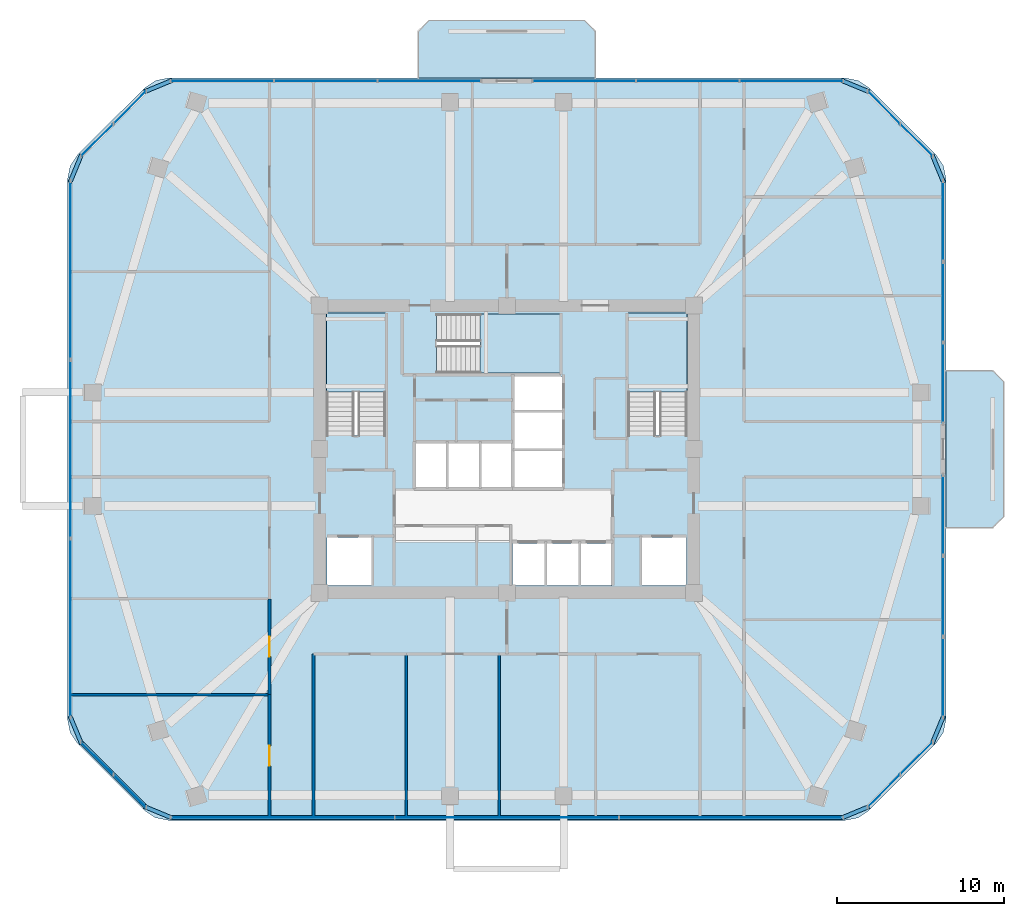
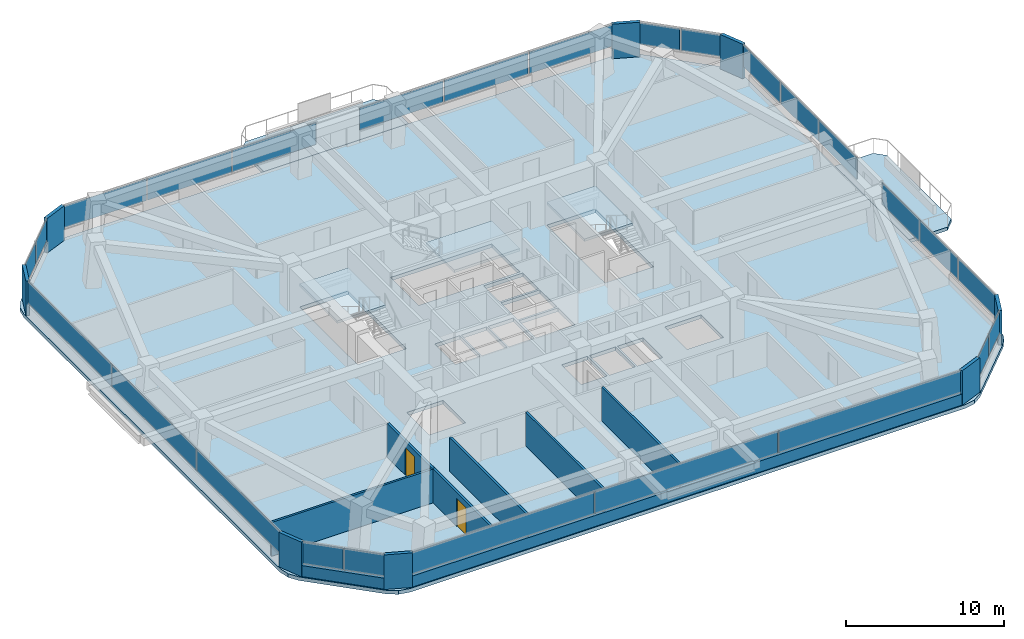
# One storey, part 8 of 14: 34 plates, 8 walls, 6 slabs, 2 doors, 2 openings, 13 elements without a shape of their own.
"""IFC4 building model written with IfcOpenShell, lengths in metres."""

from ifc_helpers import new_model, si_unit, derived_unit, direction, frame, frame_2d, origin, origin_2d, place, context, subcontext, project, spatial, polyline, rectangle, outline, extrude, material, layer, layer_set, type_object, element, fill, aggregate, save


model = new_model("IFC4")

# Units and contexts
model_context = context("Model", 3, precision=1e-05, world=origin(), true_north=direction((0.0, 1.0)))
body_context = subcontext(model_context, "Body", "Model", "MODEL_VIEW")
ifc_project = project(units=[si_unit("LENGTHUNIT", "METRE"), si_unit("AREAUNIT", "SQUARE_METRE"), si_unit("VOLUMEUNIT", "CUBIC_METRE"), si_unit("PLANEANGLEUNIT", "RADIAN"), si_unit("MASSUNIT", "GRAM", prefix="KILO"), derived_unit("THERMALTRANSMITTANCEUNIT", [(si_unit("POWERUNIT", "WATT"), 1), (si_unit("LENGTHUNIT", "METRE"), -2), (si_unit("THERMODYNAMICTEMPERATUREUNIT", "KELVIN"), -1)])], contexts=[model_context])

# Site, building, storey
site_placement = place(None, origin())
site = spatial("IfcSite", under=ifc_project, at=site_placement, CompositionType="ELEMENT")
building_placement = place(site_placement, origin())
building = spatial("IfcBuilding", under=site, at=building_placement, Name="Koralith Skygarden Medical Center", CompositionType="ELEMENT")
storey_placement = place(building_placement, frame((0.0, 0.0, 95.580078125)))
storey = spatial("IfcBuildingStorey", under=building, at=storey_placement, Name="L24", CompositionType="ELEMENT", Elevation=95.580078125)

# Curtain wall, plates
ifc_material_1 = material(Name="Clear Laminated Glass", Category="glass")
curtain_wall_type = type_object("IfcCurtainWallType", Name="CW-3 Zone 2 Faceted Solar Curtain Wall", PredefinedType="NOTDEFINED", material=ifc_material_1)
curtain_wall_1_placement = place(storey_placement, origin())
curtain_wall_1 = element("IfcCurtainWall", 1, at=curtain_wall_1_placement, inside=storey, type_object=curtain_wall_type, Name="Curtain Wall CW-L24-S", PredefinedType="NOTDEFINED")
ifc_layer_1 = layer(ifc_material_1, 0.033935546875)
ifc_layer_set_1 = layer_set([ifc_layer_1], Name="Clear Laminated Glass")
plate_type_1 = type_object("IfcPlateType", Name="CW-3 Hurricane Laminated IGU Panel 34", PredefinedType="CURTAIN_PANEL", material=ifc_layer_set_1)
plate_1_placement = place(storey_placement, frame((23.572998046875, 3.85693359375, 0.919921875), z_axis=(0.0, 0.0, 1.0), x_axis=(1.0, 0.0, 0.0)))
plate_1 = element("IfcPlate", 2, at=plate_1_placement, type_object=plate_type_1, Name="CW-L24-S Glazed Panel 1", PredefinedType="CURTAIN_PANEL", context=body_context, shape_type="SweptSolid", body=[
    extrude(rectangle(XDim=13.3369140625, YDim=0.033935546875, at=origin_2d()), origin(), (0.0, 0.0, 1.0), 1.679931640625),
])
plate_2_placement = place(storey_placement, frame((37.0, 3.85693359375, 0.919921875), z_axis=(0.0, 0.0, 1.0), x_axis=(1.0, 0.0, 0.0)))
plate_2 = element("IfcPlate", 3, at=plate_2_placement, type_object=plate_type_1, Name="CW-L24-S Glazed Panel 2", PredefinedType="CURTAIN_PANEL", context=body_context, shape_type="SweptSolid", body=[
    extrude(rectangle(XDim=13.3369140625, YDim=0.033935546875, at=origin_2d()), origin(), (0.0, 0.0, 1.0), 1.679931640625),
])
plate_3_placement = place(storey_placement, frame((50.427001953125, 3.85693359375, 0.919921875), z_axis=(0.0, 0.0, 1.0), x_axis=(1.0, 0.0, 0.0)))
plate_3 = element("IfcPlate", 4, at=plate_3_placement, type_object=plate_type_1, Name="CW-L24-S Glazed Panel 3", PredefinedType="CURTAIN_PANEL", context=body_context, shape_type="SweptSolid", body=[
    extrude(rectangle(XDim=13.3369140625, YDim=0.033935546875, at=origin_2d()), origin(), (0.0, 0.0, 1.0), 1.679931640625),
])
aggregate(curtain_wall_1, [plate_1, plate_2, plate_3])

curtain_wall_2_placement = place(storey_placement, origin())
curtain_wall_2 = element("IfcCurtainWall", 5, at=curtain_wall_2_placement, inside=storey, type_object=curtain_wall_type, Name="Curtain Wall CW-L24-SE", PredefinedType="NOTDEFINED")
plate_4_placement = place(storey_placement, frame((59.572021484375, 5.43896484375, 0.919921875), z_axis=(0.0, 0.0, 1.0), x_axis=(0.707106781187, 0.707106781187, 0.0)))
plate_4 = element("IfcPlate", 6, at=plate_4_placement, type_object=plate_type_1, Name="CW-L24-SE Glazed Panel 1", PredefinedType="CURTAIN_PANEL", context=body_context, shape_type="SweptSolid", body=[
    extrude(rectangle(XDim=2.68408203125, YDim=0.033935546875, at=origin_2d()), origin(), (0.0, 0.0, 1.0), 1.679931640625),
])
plate_5_placement = place(storey_placement, frame((61.532958984375, 7.39990234375, 0.919921875), z_axis=(0.0, 0.0, 1.0), x_axis=(0.707106781187, 0.707106781187, 0.0)))
plate_5 = element("IfcPlate", 7, at=plate_5_placement, type_object=plate_type_1, Name="CW-L24-SE Glazed Panel 2", PredefinedType="CURTAIN_PANEL", context=body_context, shape_type="SweptSolid", body=[
    extrude(rectangle(XDim=2.68408203125, YDim=0.033935546875, at=origin_2d()), origin(), (0.0, 0.0, 1.0), 1.679931640625),
])
aggregate(curtain_wall_2, [plate_4, plate_5])

curtain_wall_3_placement = place(storey_placement, origin())
curtain_wall_3 = element("IfcCurtainWall", 8, at=curtain_wall_3_placement, inside=storey, type_object=curtain_wall_type, Name="Curtain Wall CW-L24-E-L", PredefinedType="NOTDEFINED")
plate_6_placement = place(storey_placement, frame((63.114990234375, 12.2529296875, 0.919921875), z_axis=(0.0, 0.0, 1.0), x_axis=(0.0, 1.0, 0.0)))
plate_6 = element("IfcPlate", 9, at=plate_6_placement, type_object=plate_type_1, Name="CW-L24-E-L Glazed Panel 1", PredefinedType="CURTAIN_PANEL", context=body_context, shape_type="SweptSolid", body=[
    extrude(rectangle(XDim=4.751953125, YDim=0.033935546875, at=origin_2d()), origin(), (0.0, 0.0, 1.0), 1.679931640625),
])
plate_7_placement = place(storey_placement, frame((63.114990234375, 17.095947265625, 0.919921875), z_axis=(0.0, 0.0, 1.0), x_axis=(0.0, 1.0, 0.0)))
plate_7 = element("IfcPlate", 10, at=plate_7_placement, type_object=plate_type_1, Name="CW-L24-E-L Glazed Panel 2", PredefinedType="CURTAIN_PANEL", context=body_context, shape_type="SweptSolid", body=[
    extrude(rectangle(XDim=4.751953125, YDim=0.033935546875, at=origin_2d()), origin(), (0.0, 0.0, 1.0), 1.679931640625),
])
plate_8_placement = place(storey_placement, frame((63.114990234375, 21.93798828125, 0.919921875), z_axis=(0.0, 0.0, 1.0), x_axis=(0.0, 1.0, 0.0)))
plate_8 = element("IfcPlate", 11, at=plate_8_placement, type_object=plate_type_1, Name="CW-L24-E-L Glazed Panel 3", PredefinedType="CURTAIN_PANEL", context=body_context, shape_type="SweptSolid", body=[
    extrude(rectangle(XDim=4.751953125, YDim=0.033935546875, at=origin_2d()), origin(), (0.0, 0.0, 1.0), 1.679931640625),
])
aggregate(curtain_wall_3, [plate_6, plate_7, plate_8])

curtain_wall_4_placement = place(storey_placement, origin())
curtain_wall_4 = element("IfcCurtainWall", 12, at=curtain_wall_4_placement, inside=storey, type_object=curtain_wall_type, Name="Curtain Wall CW-L24-E-R", PredefinedType="NOTDEFINED")
plate_9_placement = place(storey_placement, frame((63.114990234375, 29.861083984375, 0.919921875), z_axis=(0.0, 0.0, 1.0), x_axis=(0.0, 1.0, 0.0)))
plate_9 = element("IfcPlate", 13, at=plate_9_placement, type_object=plate_type_1, Name="CW-L24-E-R Glazed Panel 1", PredefinedType="CURTAIN_PANEL", context=body_context, shape_type="SweptSolid", body=[
    extrude(rectangle(XDim=4.7529296875, YDim=0.033935546875, at=origin_2d()), origin(), (0.0, 0.0, 1.0), 1.679931640625),
])
plate_10_placement = place(storey_placement, frame((63.114990234375, 34.7041015625, 0.919921875), z_axis=(0.0, 0.0, 1.0), x_axis=(0.0, 1.0, 0.0)))
plate_10 = element("IfcPlate", 14, at=plate_10_placement, type_object=plate_type_1, Name="CW-L24-E-R Glazed Panel 2", PredefinedType="CURTAIN_PANEL", context=body_context, shape_type="SweptSolid", body=[
    extrude(rectangle(XDim=4.7529296875, YDim=0.033935546875, at=origin_2d()), origin(), (0.0, 0.0, 1.0), 1.679931640625),
])
plate_11_placement = place(storey_placement, frame((63.114990234375, 39.547119140625, 0.919921875), z_axis=(0.0, 0.0, 1.0), x_axis=(0.0, 1.0, 0.0)))
plate_11 = element("IfcPlate", 15, at=plate_11_placement, type_object=plate_type_1, Name="CW-L24-E-R Glazed Panel 3", PredefinedType="CURTAIN_PANEL", context=body_context, shape_type="SweptSolid", body=[
    extrude(rectangle(XDim=4.7529296875, YDim=0.033935546875, at=origin_2d()), origin(), (0.0, 0.0, 1.0), 1.679931640625),
])
aggregate(curtain_wall_4, [plate_9, plate_10, plate_11])

curtain_wall_5_placement = place(storey_placement, origin())
curtain_wall_5 = element("IfcCurtainWall", 16, at=curtain_wall_5_placement, inside=storey, type_object=curtain_wall_type, Name="Curtain Wall CW-L24-NE", PredefinedType="NOTDEFINED")
plate_12_placement = place(storey_placement, frame((61.532958984375, 44.39990234375, 0.919921875), z_axis=(0.0, 0.0, 1.0), x_axis=(-0.707106781187, 0.707106781187, 0.0)))
plate_12 = element("IfcPlate", 17, at=plate_12_placement, type_object=plate_type_1, Name="CW-L24-NE Glazed Panel 1", PredefinedType="CURTAIN_PANEL", context=body_context, shape_type="SweptSolid", body=[
    extrude(rectangle(XDim=2.68408203125, YDim=0.033935546875, at=origin_2d()), origin(), (0.0, 0.0, 1.0), 1.679931640625),
])
plate_13_placement = place(storey_placement, frame((59.572021484375, 46.361083984375, 0.919921875), z_axis=(0.0, 0.0, 1.0), x_axis=(-0.707106781187, 0.707106781187, 0.0)))
plate_13 = element("IfcPlate", 18, at=plate_13_placement, type_object=plate_type_1, Name="CW-L24-NE Glazed Panel 2", PredefinedType="CURTAIN_PANEL", context=body_context, shape_type="SweptSolid", body=[
    extrude(rectangle(XDim=2.68408203125, YDim=0.033935546875, at=origin_2d()), origin(), (0.0, 0.0, 1.0), 1.679931640625),
])
aggregate(curtain_wall_5, [plate_12, plate_13])

curtain_wall_6_placement = place(storey_placement, origin())
curtain_wall_6 = element("IfcCurtainWall", 19, at=curtain_wall_6_placement, inside=storey, type_object=curtain_wall_type, Name="Curtain Wall CW-L24-N-L", PredefinedType="NOTDEFINED")
plate_14_placement = place(storey_placement, frame((54.0400390625, 47.943115234375, 0.919921875), z_axis=(0.0, 0.0, 1.0), x_axis=(-1.0, 0.0, 0.0)))
plate_14 = element("IfcPlate", 20, at=plate_14_placement, type_object=plate_type_1, Name="CW-L24-N-L Glazed Panel 1", PredefinedType="CURTAIN_PANEL", context=body_context, shape_type="SweptSolid", body=[
    extrude(rectangle(XDim=6.110107421875, YDim=0.033935546875, at=origin_2d()), origin(), (0.0, 0.0, 1.0), 1.679931640625),
])
plate_15_placement = place(storey_placement, frame((47.840087890625, 47.943115234375, 0.919921875), z_axis=(0.0, 0.0, 1.0), x_axis=(-1.0, 0.0, 0.0)))
plate_15 = element("IfcPlate", 21, at=plate_15_placement, type_object=plate_type_1, Name="CW-L24-N-L Glazed Panel 2", PredefinedType="CURTAIN_PANEL", context=body_context, shape_type="SweptSolid", body=[
    extrude(rectangle(XDim=6.110107421875, YDim=0.033935546875, at=origin_2d()), origin(), (0.0, 0.0, 1.0), 1.679931640625),
])
plate_16_placement = place(storey_placement, frame((41.639892578125, 47.943115234375, 0.919921875), z_axis=(0.0, 0.0, 1.0), x_axis=(-1.0, 0.0, 0.0)))
plate_16 = element("IfcPlate", 22, at=plate_16_placement, type_object=plate_type_1, Name="CW-L24-N-L Glazed Panel 3", PredefinedType="CURTAIN_PANEL", context=body_context, shape_type="SweptSolid", body=[
    extrude(rectangle(XDim=6.110107421875, YDim=0.033935546875, at=origin_2d()), origin(), (0.0, 0.0, 1.0), 1.679931640625),
])
aggregate(curtain_wall_6, [plate_14, plate_15, plate_16])

curtain_wall_7_placement = place(storey_placement, origin())
curtain_wall_7 = element("IfcCurtainWall", 23, at=curtain_wall_7_placement, inside=storey, type_object=curtain_wall_type, Name="Curtain Wall CW-L24-N-R", PredefinedType="NOTDEFINED")
plate_17_placement = place(storey_placement, frame((32.360107421875, 47.943115234375, 0.919921875), z_axis=(0.0, 0.0, 1.0), x_axis=(-1.0, 0.0, 0.0)))
plate_17 = element("IfcPlate", 24, at=plate_17_placement, type_object=plate_type_1, Name="CW-L24-N-R Glazed Panel 1", PredefinedType="CURTAIN_PANEL", context=body_context, shape_type="SweptSolid", body=[
    extrude(rectangle(XDim=6.110107421875, YDim=0.033935546875, at=origin_2d()), origin(), (0.0, 0.0, 1.0), 1.679931640625),
])
plate_18_placement = place(storey_placement, frame((26.159912109375, 47.943115234375, 0.919921875), z_axis=(0.0, 0.0, 1.0), x_axis=(-1.0, 0.0, 0.0)))
plate_18 = element("IfcPlate", 25, at=plate_18_placement, type_object=plate_type_1, Name="CW-L24-N-R Glazed Panel 2", PredefinedType="CURTAIN_PANEL", context=body_context, shape_type="SweptSolid", body=[
    extrude(rectangle(XDim=6.110107421875, YDim=0.033935546875, at=origin_2d()), origin(), (0.0, 0.0, 1.0), 1.679931640625),
])
plate_19_placement = place(storey_placement, frame((19.9599609375, 47.943115234375, 0.919921875), z_axis=(0.0, 0.0, 1.0), x_axis=(-1.0, 0.0, 0.0)))
plate_19 = element("IfcPlate", 26, at=plate_19_placement, type_object=plate_type_1, Name="CW-L24-N-R Glazed Panel 3", PredefinedType="CURTAIN_PANEL", context=body_context, shape_type="SweptSolid", body=[
    extrude(rectangle(XDim=6.110107421875, YDim=0.033935546875, at=origin_2d()), origin(), (0.0, 0.0, 1.0), 1.679931640625),
])
aggregate(curtain_wall_7, [plate_17, plate_18, plate_19])

curtain_wall_8_placement = place(storey_placement, origin())
curtain_wall_8 = element("IfcCurtainWall", 27, at=curtain_wall_8_placement, inside=storey, type_object=curtain_wall_type, Name="Curtain Wall CW-L24-NW", PredefinedType="NOTDEFINED")
plate_20_placement = place(storey_placement, frame((14.427978515625, 46.361083984375, 0.919921875), z_axis=(0.0, 0.0, 1.0), x_axis=(-0.707106781187, -0.707106781187, 0.0)))
plate_20 = element("IfcPlate", 28, at=plate_20_placement, type_object=plate_type_1, Name="CW-L24-NW Glazed Panel 1", PredefinedType="CURTAIN_PANEL", context=body_context, shape_type="SweptSolid", body=[
    extrude(rectangle(XDim=2.68408203125, YDim=0.033935546875, at=origin_2d()), origin(), (0.0, 0.0, 1.0), 1.679931640625),
])
plate_21_placement = place(storey_placement, frame((12.467041015625, 44.39990234375, 0.919921875), z_axis=(0.0, 0.0, 1.0), x_axis=(-0.707106781187, -0.707106781187, 0.0)))
plate_21 = element("IfcPlate", 29, at=plate_21_placement, type_object=plate_type_1, Name="CW-L24-NW Glazed Panel 2", PredefinedType="CURTAIN_PANEL", context=body_context, shape_type="SweptSolid", body=[
    extrude(rectangle(XDim=2.68408203125, YDim=0.033935546875, at=origin_2d()), origin(), (0.0, 0.0, 1.0), 1.679931640625),
])
aggregate(curtain_wall_8, [plate_20, plate_21])

curtain_wall_9_placement = place(storey_placement, origin())
curtain_wall_9 = element("IfcCurtainWall", 30, at=curtain_wall_9_placement, inside=storey, type_object=curtain_wall_type, Name="Curtain Wall CW-L24-W", PredefinedType="NOTDEFINED")
plate_22_placement = place(storey_placement, frame((10.884033203125, 36.612060546875, 0.919921875), z_axis=(0.0, 0.0, 1.0), x_axis=(0.0, -1.0, 0.0)))
plate_22 = element("IfcPlate", 31, at=plate_22_placement, type_object=plate_type_1, Name="CW-L24-W Glazed Panel 1", PredefinedType="CURTAIN_PANEL", context=body_context, shape_type="SweptSolid", body=[
    extrude(rectangle(XDim=10.6220703125, YDim=0.033935546875, at=origin_2d()), origin(), (0.0, 0.0, 1.0), 1.679931640625),
])
plate_23_placement = place(storey_placement, frame((10.884033203125, 25.89990234375, 0.919921875), z_axis=(0.0, 0.0, 1.0), x_axis=(0.0, -1.0, 0.0)))
plate_23 = element("IfcPlate", 32, at=plate_23_placement, type_object=plate_type_1, Name="CW-L24-W Glazed Panel 2", PredefinedType="CURTAIN_PANEL", context=body_context, shape_type="SweptSolid", body=[
    extrude(rectangle(XDim=10.6220703125, YDim=0.033935546875, at=origin_2d()), origin(), (0.0, 0.0, 1.0), 1.679931640625),
])
plate_24_placement = place(storey_placement, frame((10.884033203125, 15.18798828125, 0.919921875), z_axis=(0.0, 0.0, 1.0), x_axis=(0.0, -1.0, 0.0)))
plate_24 = element("IfcPlate", 33, at=plate_24_placement, type_object=plate_type_1, Name="CW-L24-W Glazed Panel 3", PredefinedType="CURTAIN_PANEL", context=body_context, shape_type="SweptSolid", body=[
    extrude(rectangle(XDim=10.6220703125, YDim=0.033935546875, at=origin_2d()), origin(), (0.0, 0.0, 1.0), 1.679931640625),
])
aggregate(curtain_wall_9, [plate_22, plate_23, plate_24])

curtain_wall_10_placement = place(storey_placement, origin())
curtain_wall_10 = element("IfcCurtainWall", 34, at=curtain_wall_10_placement, inside=storey, type_object=curtain_wall_type, Name="Curtain Wall CW-L24-SW", PredefinedType="NOTDEFINED")
plate_25_placement = place(storey_placement, frame((12.467041015625, 7.39990234375, 0.919921875), z_axis=(0.0, 0.0, 1.0), x_axis=(0.707106781187, -0.707106781187, 0.0)))
plate_25 = element("IfcPlate", 35, at=plate_25_placement, type_object=plate_type_1, Name="CW-L24-SW Glazed Panel 1", PredefinedType="CURTAIN_PANEL", context=body_context, shape_type="SweptSolid", body=[
    extrude(rectangle(XDim=2.68408203125, YDim=0.033935546875, at=origin_2d()), origin(), (0.0, 0.0, 1.0), 1.679931640625),
])
plate_26_placement = place(storey_placement, frame((14.427978515625, 5.43896484375, 0.919921875), z_axis=(0.0, 0.0, 1.0), x_axis=(0.707106781187, -0.707106781187, 0.0)))
plate_26 = element("IfcPlate", 36, at=plate_26_placement, type_object=plate_type_1, Name="CW-L24-SW Glazed Panel 2", PredefinedType="CURTAIN_PANEL", context=body_context, shape_type="SweptSolid", body=[
    extrude(rectangle(XDim=2.68408203125, YDim=0.033935546875, at=origin_2d()), origin(), (0.0, 0.0, 1.0), 1.679931640625),
])
aggregate(curtain_wall_10, [plate_25, plate_26])

# Slabs
ifc_material_2 = material(Name="Concrete C45/55", Category="concrete")
ifc_layer_2 = layer(ifc_material_2, 0.260009765625)
ifc_layer_set_2 = layer_set([ifc_layer_2], Name="Concrete C45/55")
slab_type_1 = type_object("IfcSlabType", Name="Cantilevered Planted Balcony Slab 260", PredefinedType="FLOOR", material=ifc_layer_set_2)
slab_1_placement = place(storey_placement, frame((0.0, 0.0, -0.260009765625)))
element("IfcSlab", 37, at=slab_1_placement, inside=storey, type_object=slab_type_1, Name="L24 N Planted Sky-Garden Balcony Slab", PredefinedType="FLOOR", context=body_context, shape_type="SweptSolid", body=[
    extrude(outline(polyline([(31.699951171875, 48.123046875), (42.300048828125, 48.123046875), (42.300048828125, 50.923095703125), (41.64990234375, 51.572998046875), (32.35009765625, 51.572998046875), (31.699951171875, 50.923095703125), (31.699951171875, 48.123046875)])), origin(), (0.0, 0.0, 1.0), 0.260009765625),
])
slab_2_placement = place(storey_placement, frame((0.0, 0.0, -0.260009765625)))
element("IfcSlab", 38, at=slab_2_placement, inside=storey, type_object=slab_type_1, Name="L24 E Planted Sky-Garden Balcony Slab", PredefinedType="FLOOR", context=body_context, shape_type="SweptSolid", body=[
    extrude(outline(polyline([(63.2958984375, 21.199951171875), (66.095947265625, 21.199951171875), (66.74609375, 21.85009765625), (66.74609375, 29.949951171875), (66.095947265625, 30.60009765625), (63.2958984375, 30.60009765625), (63.2958984375, 21.199951171875)])), origin(), (0.0, 0.0, 1.0), 0.260009765625),
])

# Stair, slab
stair_type = type_object("IfcStairType", Name="Core Exit Dogleg Concrete Stair", PredefinedType="HALF_TURN_STAIR", material=ifc_material_2)
stair_1_placement = place(storey_placement, origin())
stair_1 = element("IfcStair", 39, at=stair_1_placement, inside=storey, type_object=stair_type, Name="L24 Smokeproof Exit Stair ST1", PredefinedType="HALF_TURN_STAIR")
ifc_layer_3 = layer(ifc_material_2, 0.199951171875)
ifc_layer_set_3 = layer_set([ifc_layer_3], Name="Concrete C45/55")
slab_type_2 = type_object("IfcSlabType", Name="Core Exit Concrete Stair Landing 200", PredefinedType="LANDING", material=ifc_layer_set_3)
slab_3_placement = place(storey_placement, frame((0.0, 0.0, 1.599853515625)))
slab_3 = element("IfcSlab", 40, at=slab_3_placement, type_object=slab_type_2, Name="ST1 landing 1", PredefinedType="LANDING", context=body_context, shape_type="SweptSolid", body=[
    extrude(outline(polyline([(29.75, 29.31005859375), (29.75, 34.050048828125), (26.199951171875, 34.050048828125), (26.199951171875, 29.31005859375), (29.75, 29.31005859375)])), origin(), (0.0, 0.0, 1.0), 0.199951171875),
])
aggregate(stair_1, [slab_3])

stair_2_placement = place(storey_placement, origin())
stair_2 = element("IfcStair", 41, at=stair_2_placement, inside=storey, type_object=stair_type, Name="L24 Smokeproof Exit Stair ST2", PredefinedType="HALF_TURN_STAIR")
slab_4_placement = place(storey_placement, frame((0.0, 0.0, 1.599853515625)))
slab_4 = element("IfcSlab", 42, at=slab_4_placement, type_object=slab_type_2, Name="ST2 landing 1", PredefinedType="LANDING", context=body_context, shape_type="SweptSolid", body=[
    extrude(outline(polyline([(47.800048828125, 29.31005859375), (47.800048828125, 34.050048828125), (44.25, 34.050048828125), (44.25, 29.31005859375), (47.800048828125, 29.31005859375)])), origin(), (0.0, 0.0, 1.0), 0.199951171875),
])
aggregate(stair_2, [slab_4])

stair_3_placement = place(storey_placement, origin())
stair_3 = element("IfcStair", 43, at=stair_3_placement, inside=storey, type_object=stair_type, Name="L24 Smokeproof Exit Stair ST3", PredefinedType="HALF_TURN_STAIR")
slab_5_placement = place(storey_placement, frame((0.0, 0.0, 1.599853515625)))
slab_5 = element("IfcSlab", 44, at=slab_5_placement, type_object=slab_type_2, Name="ST3 landing 1", PredefinedType="LANDING", context=body_context, shape_type="SweptSolid", body=[
    extrude(outline(polyline([(35.409912109375, 30.449951171875), (40.199951171875, 30.449951171875), (40.199951171875, 34.0), (35.409912109375, 34.0), (35.409912109375, 30.449951171875)])), origin(), (0.0, 0.0, 1.0), 0.199951171875),
])
aggregate(stair_3, [slab_5])

# Slab
ifc_layer_4 = layer(ifc_material_2, 0.280029296875)
ifc_layer_set_4 = layer_set([ifc_layer_4], Name="Concrete C45/55")
slab_type_3 = type_object("IfcSlabType", Name="Post-Tensioned Ward Floor Plate 280", PredefinedType="FLOOR", material=ifc_layer_set_4)
slab_6_placement = place(storey_placement, frame((0.0, 0.0, -0.280029296875)))
element("IfcSlab", 45, at=slab_6_placement, inside=storey, type_object=slab_type_3, Name="Level L24 Structural Floor Slab", PredefinedType="FLOOR", context=body_context, shape_type="SweptSolid", body=[
    extrude(outline(polyline([(15.319091796875, 4.262939453125), (15.968017578125, 3.8291015625), (16.73291015625, 3.677001953125), (57.26708984375, 3.677001953125), (58.031982421875, 3.8291015625), (58.680908203125, 4.262939453125), (62.7099609375, 8.291015625), (63.14306640625, 8.93994140625), (63.2958984375, 9.705078125), (63.2958984375, 42.094970703125), (63.14306640625, 42.860107421875), (62.7099609375, 43.509033203125), (58.680908203125, 47.537109375), (58.031982421875, 47.970947265625), (57.26708984375, 48.123046875), (16.73291015625, 48.123046875), (15.968017578125, 47.970947265625), (15.319091796875, 47.537109375), (11.2900390625, 43.509033203125), (10.85693359375, 42.860107421875), (10.7041015625, 42.094970703125), (10.7041015625, 9.705078125), (10.85693359375, 8.93994140625), (11.2900390625, 8.291015625), (15.319091796875, 4.262939453125)]), holes=[polyline([(26.199951171875, 26.705078125), (29.75, 26.705078125), (29.75, 34.050048828125), (26.199951171875, 34.050048828125), (26.199951171875, 26.705078125)]), polyline([(44.25, 26.705078125), (47.800048828125, 26.705078125), (47.800048828125, 34.050048828125), (44.25, 34.050048828125), (44.25, 26.705078125)]), polyline([(32.804931640625, 30.449951171875), (40.199951171875, 30.449951171875), (40.199951171875, 34.0), (32.804931640625, 34.0), (32.804931640625, 30.449951171875)]), polyline([(26.25, 17.75), (28.89990234375, 17.75), (28.89990234375, 20.60009765625), (26.25, 20.60009765625), (26.25, 17.75)]), polyline([(45.10009765625, 17.75), (47.75, 17.75), (47.75, 20.60009765625), (45.10009765625, 20.60009765625), (45.10009765625, 17.75)]), polyline([(37.35009765625, 17.75), (39.25, 17.75), (39.25, 20.25), (37.35009765625, 20.25), (37.35009765625, 17.75)]), polyline([(39.39990234375, 17.75), (41.300048828125, 17.75), (41.300048828125, 20.25), (39.39990234375, 20.25), (39.39990234375, 17.75)]), polyline([(41.449951171875, 17.75), (43.300048828125, 17.75), (43.300048828125, 20.25), (41.449951171875, 20.25), (41.449951171875, 17.75)]), polyline([(31.550048828125, 23.64990234375), (33.39990234375, 23.64990234375), (33.39990234375, 26.25), (31.550048828125, 26.25), (31.550048828125, 23.64990234375)]), polyline([(33.5, 23.64990234375), (35.35009765625, 23.64990234375), (35.35009765625, 26.25), (33.5, 26.25), (33.5, 23.64990234375)]), polyline([(35.449951171875, 23.64990234375), (37.300048828125, 23.64990234375), (37.300048828125, 26.25), (35.449951171875, 26.25), (35.449951171875, 23.64990234375)]), polyline([(37.449951171875, 23.64990234375), (40.300048828125, 23.64990234375), (40.300048828125, 25.800048828125), (37.449951171875, 25.800048828125), (37.449951171875, 23.64990234375)]), polyline([(37.449951171875, 25.949951171875), (40.300048828125, 25.949951171875), (40.300048828125, 28.10009765625), (37.449951171875, 28.10009765625), (37.449951171875, 25.949951171875)]), polyline([(37.449951171875, 28.25), (40.300048828125, 28.25), (40.300048828125, 30.25), (37.449951171875, 30.25), (37.449951171875, 28.25)])]), origin(), (0.0, 0.0, 1.0), 0.280029296875),
])

# Plates
ifc_material_3 = material(Name="Warm Oolitic Limestone Cladding", Category="masonry")
ifc_layer_5 = layer(ifc_material_3, 0.239990234375)
ifc_layer_set_5 = layer_set([ifc_layer_5], Name="Warm Oolitic Limestone Cladding")
plate_type_2 = type_object("IfcPlateType", Name="Rounded-Corner Oolitic Limestone Cladding Panel 240", PredefinedType="USERDEFINED", material=ifc_layer_set_5)
for number, where, z_axis, x_axis, name in (
    (46, (57.864990234375, 4.157958984375, 0.0), (0.0, 0.0, 1.0), (0.92388487569, 0.382670532536, 0.0), "L24 Rounded-Corner Limestone Pier 1"),
    (47, (62.81494140625, 9.10693359375, 0.0), (0.0, 0.0, 1.0), (0.382670532536, 0.92388487569, 0.0), "L24 Rounded-Corner Limestone Pier 2"),
    (48, (62.81494140625, 42.694091796875, 0.0), (0.0, 0.0, 1.0), (-0.382670532536, 0.92388487569, 0.0), "L24 Rounded-Corner Limestone Pier 3"),
    (49, (57.864990234375, 47.64208984375, 0.0), (0.0, 0.0, 1.0), (-0.92388487569, 0.382670532536, 0.0), "L24 Rounded-Corner Limestone Pier 4"),
    (50, (16.134033203125, 47.64208984375, 0.0), (0.0, 0.0, 1.0), (-0.92388487569, -0.382670532536, 0.0), "L24 Rounded-Corner Limestone Pier 5"),
    (51, (11.18505859375, 42.694091796875, 0.0), (0.0, 0.0, 1.0), (-0.383213873184, -0.923659638286, 0.0), "L24 Rounded-Corner Limestone Pier 6"),
    (52, (11.18505859375, 9.10693359375, 0.0), (0.0, 0.0, 1.0), (0.383213873184, -0.923659638286, 0.0), "L24 Rounded-Corner Limestone Pier 7"),
    (53, (16.134033203125, 4.157958984375, 0.0), (0.0, 0.0, 1.0), (0.92388487569, -0.382670532536, 0.0), "L24 Rounded-Corner Limestone Pier 8"),
):
    element("IfcPlate", number, at=place(storey_placement, frame(where, z_axis=z_axis, x_axis=x_axis)), inside=storey, type_object=plate_type_2, Name=name, ObjectType="LIMESTONE CLADDING", PredefinedType="USERDEFINED", context=body_context, shape_type="SweptSolid", body=[
        extrude(rectangle(XDim=1.81103515625, YDim=0.239990234375, at=origin_2d()), origin(), (0.0, 0.0, 1.0), 2.669921875),
    ])

# Walls
ifc_material_4 = material(Name="Gypsum Board Partition")
ifc_layer_6 = layer(ifc_material_4, 0.14990234375)
ifc_layer_set_6 = layer_set([ifc_layer_6], Name="Gypsum Board Partition")
wall_type_1 = type_object("IfcWallType", Name="Clinical Acoustic Partition 150", PredefinedType="PARTITIONING", material=ifc_layer_set_6)
for number, where, z_axis, x_axis, name in (
    (54, (30.989013671875, 13.639892578125, 0.0), (0.0, 0.0, 1.0), (0.0, -1.0, 0.0), "L24 Clinical Acoustic Partition 150 W-PART-L24-S-01"),
    (55, (36.5380859375, 13.639892578125, 0.0), (0.0, 0.0, 1.0), (0.0, -1.0, 0.0), "L24 Clinical Acoustic Partition 150 W-PART-L24-S-02"),
):
    element("IfcWall", number, at=place(storey_placement, frame(where, z_axis=z_axis, x_axis=x_axis)), inside=storey, type_object=wall_type_1, Name=name, PredefinedType="PARTITIONING", context=body_context, shape_type="SweptSolid", body=[
        extrude(rectangle(XDim=9.762939453125, YDim=0.14990234375, at=frame_2d((4.88134765625, 0.0))), origin(), (0.0, 0.0, 1.0), 2.60986328125),
    ])
wall_1_placement = place(storey_placement, frame((22.7900390625, 11.2080078125, 0.0), z_axis=(0.0, 0.0, 1.0), x_axis=(-1.0, 0.0, 0.0)))
element("IfcWall", 56, at=wall_1_placement, inside=storey, type_object=wall_type_1, Name="L24 Clinical Acoustic Partition 150 W-PART-L24-WS-01", PredefinedType="PARTITIONING", context=body_context, shape_type="SweptSolid", body=[
    extrude(rectangle(XDim=11.885986328125, YDim=0.14990234375, at=frame_2d((5.94287109375, 0.0))), origin(), (0.0, 0.0, 1.0), 2.60986328125),
])
ifc_layer_7 = layer(ifc_material_4, 0.1650390625)
ifc_layer_set_7 = layer_set([ifc_layer_7], Name="Gypsum Board Partition")
wall_type_2 = type_object("IfcWallType", Name="Clinical Corridor Partition 165", PredefinedType="PARTITIONING", material=ifc_layer_set_7)
wall_2_placement = place(storey_placement, frame((25.429931640625, 3.876953125, 0.0), z_axis=(0.0, 0.0, 1.0), x_axis=(0.0, 1.0, 0.0)))
element("IfcWall", 57, at=wall_2_placement, inside=storey, type_object=wall_type_2, Name="L24 Clinical Corridor Partition 165 W-HCOR-L24-SW", PredefinedType="PARTITIONING", context=body_context, shape_type="SweptSolid", body=[
    extrude(rectangle(XDim=9.762939453125, YDim=0.1650390625, at=frame_2d((4.88134765625, 0.0))), origin(), (0.0, 0.0, 1.0), 2.60986328125),
])

# Wall, opening, door
wall_3_placement = place(storey_placement, frame((22.7900390625, 3.876953125, 0.0), z_axis=(0.0, 0.0, 1.0), x_axis=(0.0, 1.0, 0.0)))
wall_3 = element("IfcWall", 58, at=wall_3_placement, inside=storey, type_object=wall_type_2, Name="L24 Clinical Corridor Partition 165 W-CORR-L24-WS-01", PredefinedType="PARTITIONING", context=body_context, shape_type="SweptSolid", body=[
    extrude(rectangle(XDim=7.3310546875, YDim=0.1650390625, at=frame_2d((3.66552734375, 0.0))), origin(), (0.0, 0.0, 1.0), 2.60986328125),
])
opening_1_placement = place(wall_3_placement, frame((3.06591796875, 0.0, 0.0)))
opening_1 = element("IfcOpeningElement", 59, at=opening_1_placement, cuts=wall_3, Name="Opening D-CLN", PredefinedType="OPENING", context=body_context, shape_type="SweptSolid", body=[
    extrude(rectangle(XDim=1.199951171875, YDim=2.14990234375, at=frame_2d((0.60009765625, 1.074951171875))), frame((0.0, 0.092529296875, 0.0), z_axis=(0.0, -1.0, 0.0), x_axis=(1.0, 0.0, 0.0)), (0.0, 0.0, 1.0), 0.18505859375),
])
ifc_material_5 = material(Name="Aluminium 6063-T6", Category="aluminium")
door_type = type_object("IfcDoorType", Name="Clinical Corridor Door D-CLN 1200", OperationType="NOTDEFINED", PredefinedType="DOOR", material=ifc_material_5)
door_1_placement = place(opening_1_placement, frame((1.199951171875, 0.0, 0.0), z_axis=(0.0, 0.0, 1.0), x_axis=(-1.0, 0.0, 0.0)))
door_1 = element("IfcDoor", 60, at=door_1_placement, inside=storey, type_object=door_type, Name="L24 Cast and Dressing Treatment Room 08 Door", OperationType="SINGLE_SWING_LEFT", OverallHeight=2.14990234375, OverallWidth=1.199951171875, PredefinedType="DOOR", context=body_context, shape_type="SweptSolid", body=[
    extrude(rectangle(XDim=1.199951171875, YDim=2.14990234375, at=frame_2d((0.60009765625, 1.074951171875))), frame((0.0, 0.02490234375, 0.0), z_axis=(0.0, -1.0, 0.0), x_axis=(1.0, 0.0, 0.0)), (0.0, 0.0, 1.0), 0.050048828125),
])
fill(opening_1, door_1)

wall_4_placement = place(storey_placement, frame((22.7900390625, 11.2080078125, 0.0), z_axis=(0.0, 0.0, 1.0), x_axis=(0.0, 1.0, 0.0)))
wall_4 = element("IfcWall", 61, at=wall_4_placement, inside=storey, type_object=wall_type_2, Name="L24 Clinical Corridor Partition 165 W-CORR-L24-WS-02", PredefinedType="PARTITIONING", context=body_context, shape_type="SweptSolid", body=[
    extrude(rectangle(XDim=5.73388671875, YDim=0.1650390625, at=frame_2d((2.866943359375, 0.0))), origin(), (0.0, 0.0, 1.0), 2.60986328125),
])
opening_2_placement = place(wall_4_placement, frame((2.26708984375, 0.0, 0.0)))
opening_2 = element("IfcOpeningElement", 62, at=opening_2_placement, cuts=wall_4, Name="Opening D-CLN", PredefinedType="OPENING", context=body_context, shape_type="SweptSolid", body=[
    extrude(rectangle(XDim=1.199951171875, YDim=2.14990234375, at=frame_2d((0.60009765625, 1.074951171875))), frame((0.0, 0.092529296875, 0.0), z_axis=(0.0, -1.0, 0.0), x_axis=(1.0, 0.0, 0.0)), (0.0, 0.0, 1.0), 0.18505859375),
])
door_2_placement = place(opening_2_placement, frame((1.199951171875, 0.0, 0.0), z_axis=(0.0, 0.0, 1.0), x_axis=(-1.0, 0.0, 0.0)))
door_2 = element("IfcDoor", 63, at=door_2_placement, inside=storey, type_object=door_type, Name="L24 Surgical Follow-Up Office 09 Door", OperationType="SINGLE_SWING_RIGHT", OverallHeight=2.14990234375, OverallWidth=1.199951171875, PredefinedType="DOOR", context=body_context, shape_type="SweptSolid", body=[
    extrude(rectangle(XDim=1.199951171875, YDim=2.14990234375, at=frame_2d((0.60009765625, 1.074951171875))), frame((0.0, 0.02490234375, 0.0), z_axis=(0.0, -1.0, 0.0), x_axis=(1.0, 0.0, 0.0)), (0.0, 0.0, 1.0), 0.050048828125),
])
fill(opening_2, door_2)

# Walls
ifc_layer_8 = layer(ifc_material_3, 0.239990234375)
ifc_layer_set_8 = layer_set([ifc_layer_8], Name="Warm Oolitic Limestone Cladding")
wall_type_3 = type_object("IfcWallType", Name="Limestone Spandrel Sill Backup Wall 240", PredefinedType="SOLIDWALL", material=ifc_layer_set_8)
wall_5_placement = place(storey_placement, frame((16.860107421875, 3.85693359375, 0.0), z_axis=(0.0, 0.0, 1.0), x_axis=(1.0, 0.0, 0.0)))
element("IfcWall", 64, at=wall_5_placement, inside=storey, type_object=wall_type_3, Name="L24 Sill Spandrel S", PredefinedType="SOLIDWALL", context=body_context, shape_type="SweptSolid", body=[
    extrude(rectangle(XDim=40.27978515625, YDim=0.239990234375, at=frame_2d((20.139892578125, 0.0))), origin(), (0.0, 0.0, 1.0), 0.849853515625),
])
wall_6_placement = place(storey_placement, frame((11.486083984375, 8.381103515625, 0.0), z_axis=(0.0, 0.0, 1.0), x_axis=(0.707084777957, -0.707128783731, 0.0)))
element("IfcWall", 65, at=wall_6_placement, inside=storey, type_object=wall_type_3, Name="L24 Sill Spandrel SW", PredefinedType="SOLIDWALL", context=body_context, shape_type="SweptSolid", body=[
    extrude(rectangle(XDim=5.5478515625, YDim=0.239990234375, at=frame_2d((2.77392578125, 0.0))), origin(), (0.0, 0.0, 1.0), 0.849853515625),
])

save(model, "model.ifc")
